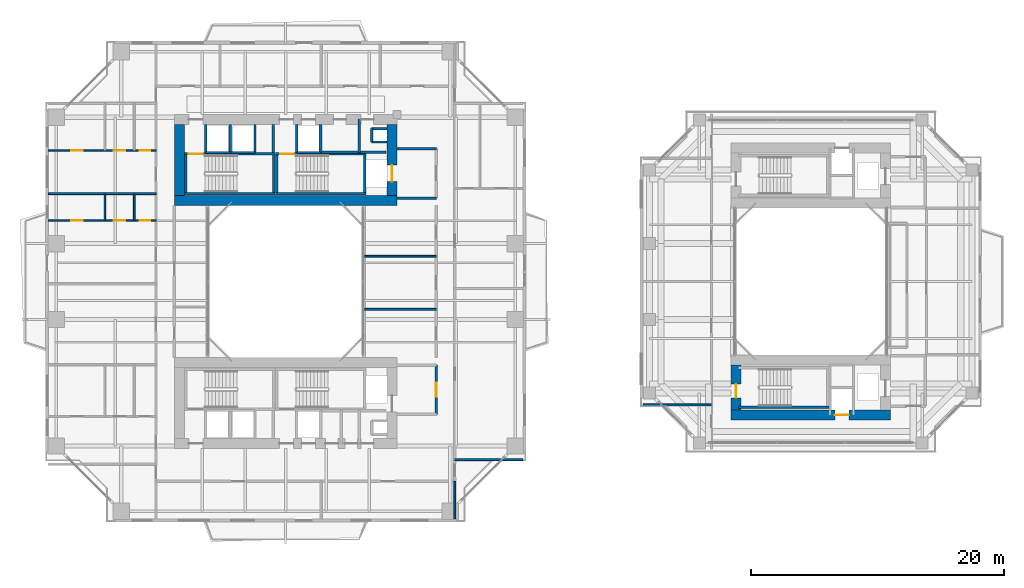
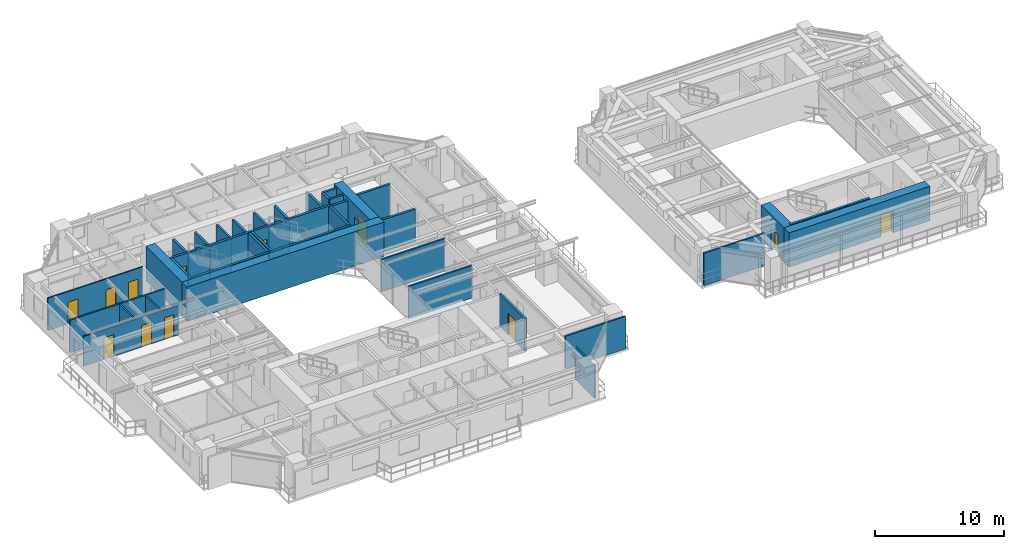
# One storey, part 15 of 23: 41 walls, 12 doors, 12 openings.
"""IFC4 building model written with IfcOpenShell, lengths in metres."""

from ifc_helpers import new_model, si_unit, direction, frame, frame_2d, origin, place, context, subcontext, project, spatial, rectangle, extrude, source, transform, mapped, material, layer, layer_set, type_object, element, fill, save


model = new_model("IFC4")

# Units and contexts
model_context = context("Model", 3, precision=1e-05, world=origin(), true_north=direction((0.0, 1.0)))
body_context = subcontext(model_context, "Body", "Model", "MODEL_VIEW")
ifc_project = project(units=[si_unit("LENGTHUNIT", "METRE"), si_unit("AREAUNIT", "SQUARE_METRE"), si_unit("VOLUMEUNIT", "CUBIC_METRE"), si_unit("PLANEANGLEUNIT", "RADIAN"), si_unit("MASSUNIT", "GRAM", prefix="KILO"), si_unit("THERMODYNAMICTEMPERATUREUNIT", "KELVIN"), si_unit("POWERUNIT", "WATT")], contexts=[model_context])

# Site, building, storey
site_placement = place(None, origin())
site = spatial("IfcSite", under=ifc_project, at=site_placement, CompositionType="ELEMENT")
building_placement = place(site_placement, origin())
building = spatial("IfcBuilding", under=site, at=building_placement, Name="Qiaomeng Ring Towers", CompositionType="ELEMENT")
storey_placement = place(building_placement, frame((0.0, 0.0, 66.5)))
storey = spatial("IfcBuildingStorey", under=building, at=storey_placement, Name="L18", CompositionType="ELEMENT", Elevation=66.5)

# Walls
ifc_material_1 = material(Name="Autoclaved aerated concrete block", Category="concrete")
ifc_layer_1 = layer(ifc_material_1, 0.199951171875, Name="Autoclaved aerated concrete block")
ifc_layer_set_1 = layer_set([ifc_layer_1], Name="Autoclaved aerated concrete block")
wall_type_1 = type_object("IfcWallType", Name="ARC-WL-PW1", PredefinedType="PARTITIONING", material=ifc_layer_set_1)
for number, where, z_axis, x_axis, name in (
    (1, (27.800048828125, 29.60009765625, 0.0), (0.0, 0.0, 1.0), (1.0, 0.0, 0.0), "L18 Interior Wall PW1"),
    (2, (27.800048828125, 33.5, 0.0), (0.0, 0.0, 1.0), (1.0, 0.0, 0.0), "L18 Interior Wall PW1"),
):
    element("IfcWall", number, at=place(storey_placement, frame(where, z_axis=z_axis, x_axis=x_axis)), inside=storey, type_object=wall_type_1, Name=name, PredefinedType="PARTITIONING", context=body_context, shape_type="SweptSolid", body=[
        extrude(rectangle(XDim=3.099853515625, YDim=0.199951171875, at=frame_2d((1.5498046875, 0.0))), origin(), (0.0, 0.0, 1.0), 3.070068359375),
    ])

# Wall, opening, door
wall_1_placement = place(storey_placement, frame((30.89990234375, 12.5, 0.0), z_axis=(0.0, 0.0, 1.0), x_axis=(0.0, 1.0, 0.0)))
wall_1 = element("IfcWall", 3, at=wall_1_placement, inside=storey, type_object=wall_type_1, Name="L18 Interior Wall PW1", PredefinedType="PARTITIONING", context=body_context, shape_type="SweptSolid", body=[
    extrude(rectangle(XDim=3.89990234375, YDim=0.199951171875, at=frame_2d((1.949951171875, 0.0))), origin(), (0.0, 0.0, 1.0), 3.070068359375),
])
opening_1_placement = place(wall_1_placement, frame((1.39990234375, 0.0, 0.0)))
opening_1 = element("IfcOpeningElement", 4, at=opening_1_placement, cuts=wall_1, Name="Opening FD3", PredefinedType="OPENING", context=body_context, shape_type="SweptSolid", body=[
    extrude(rectangle(XDim=1.10009765625, YDim=2.050048828125, at=frame_2d((0.550048828125, 1.02490234375))), frame((0.0, 0.10986328125, 0.0), z_axis=(0.0, -1.0, 0.0), x_axis=(1.0, 0.0, 0.0)), (0.0, 0.0, 1.0), 0.219970703125),
])
ifc_material_2 = material(Name="Galvanised steel", Category="steel")
door_type_1 = type_object("IfcDoorType", Name="ARC-DR-FD3", OperationType="NOTDEFINED", PredefinedType="DOOR", material=ifc_material_2)
shared_shape_1 = source(origin(), body_context, "Body", "SweptSolid", [
    extrude(rectangle(XDim=1.10009765625, YDim=2.050048828125, at=frame_2d((0.550048828125, 1.02490234375))), frame((0.0, 0.02490234375, 0.0), z_axis=(0.0, -1.0, 0.0), x_axis=(1.0, 0.0, 0.0)), (0.0, 0.0, 1.0), 0.050048828125),
])
door_1_placement = place(opening_1_placement, origin())
door_1 = element("IfcDoor", 5, at=door_1_placement, inside=storey, type_object=door_type_1, Name="L18 South FF Lobby Door", OperationType="SINGLE_SWING_RIGHT", OverallHeight=2.050048828125, OverallWidth=1.10009765625, PredefinedType="DOOR", context=body_context, shape_type="MappedRepresentation", body=[
    mapped(shared_shape_1, transform((0.0, 0.0, 0.0), x_axis=(1.0, 0.0, 0.0), y_axis=(0.0, 1.0, 0.0), z_axis=(0.0, 0.0, 1.0), scale=1.0)),
])
fill(opening_1, door_1)

# Walls
for number, where, z_axis, x_axis, name in (
    (6, (12.679931640625, 33.18994140625, 0.0), (0.0, 0.0, 1.0), (0.0, 1.0, 0.0), "L18 Interior Wall PW1"),
    (7, (18.0, 33.18994140625, 0.0), (0.0, 0.0, 1.0), (0.0, 1.0, 0.0), "L18 Interior Wall PW1"),
    (8, (19.8798828125, 33.18994140625, 0.0), (0.0, 0.0, 1.0), (0.0, 1.0, 0.0), "L18 Interior Wall PW1"),
):
    element("IfcWall", number, at=place(storey_placement, frame(where, z_axis=z_axis, x_axis=x_axis)), inside=storey, type_object=wall_type_1, Name=name, PredefinedType="PARTITIONING", context=body_context, shape_type="SweptSolid", body=[
        extrude(rectangle(XDim=2.2099609375, YDim=0.199951171875, at=frame_2d((1.10498046875, 0.0))), origin(), (0.0, 0.0, 1.0), 3.070068359375),
    ])
wall_2_placement = place(storey_placement, frame((24.820068359375, 33.199951171875, 0.0), z_axis=(0.0, 0.0, 1.0), x_axis=(0.0, 1.0, 0.0)))
element("IfcWall", 9, at=wall_2_placement, inside=storey, type_object=wall_type_1, Name="L18 Interior Wall PW1", PredefinedType="PARTITIONING", context=body_context, shape_type="SweptSolid", body=[
    extrude(rectangle(XDim=2.650146484375, YDim=0.199951171875, at=frame_2d((1.3251953125, 0.0))), origin(), (0.0, 0.0, 1.0), 3.070068359375),
])
wall_3_placement = place(storey_placement, frame((21.75, 33.199951171875, 0.0), z_axis=(0.0, 0.0, 1.0), x_axis=(0.0, 1.0, 0.0)))
element("IfcWall", 10, at=wall_3_placement, inside=storey, type_object=wall_type_1, Name="L18 Interior Wall PW1", PredefinedType="PARTITIONING", context=body_context, shape_type="SweptSolid", body=[
    extrude(rectangle(XDim=2.199951171875, YDim=0.199951171875, at=frame_2d((1.10009765625, 0.0))), origin(), (0.0, 0.0, 1.0), 3.070068359375),
])
wall_4_placement = place(storey_placement, frame((21.75, 33.199951171875, 0.0), z_axis=(0.0, 0.0, 1.0), x_axis=(1.0, 0.0, 0.0)))
element("IfcWall", 11, at=wall_4_placement, inside=storey, type_object=wall_type_1, Name="L18 Interior Wall PW1", PredefinedType="PARTITIONING", context=body_context, shape_type="SweptSolid", body=[
    extrude(rectangle(XDim=5.169921875, YDim=0.199951171875, at=frame_2d((2.5849609375, 0.0))), origin(), (0.0, 0.0, 1.0), 3.070068359375),
])
ifc_material_3 = material(Name="Gypsum fireboard steel-stud partition", Category="steel")
ifc_layer_2 = layer(ifc_material_3, 0.14990234375, Name="Gypsum fireboard steel-stud partition")
ifc_layer_set_2 = layer_set([ifc_layer_2], Name="Gypsum fireboard steel-stud partition")
wall_type_2 = type_object("IfcWallType", Name="ARC-WL-PW3", PredefinedType="PARTITIONING", material=ifc_layer_set_2)
wall_5_placement = place(storey_placement, frame((32.360107421875, 4.25, 0.0), z_axis=(0.0, 0.0, 1.0), x_axis=(0.0, 1.0, 0.0)))
element("IfcWall", 12, at=wall_5_placement, inside=storey, type_object=wall_type_2, Name="L18 Interior Wall PW3", PredefinedType="PARTITIONING", context=body_context, shape_type="SweptSolid", body=[
    extrude(rectangle(XDim=2.9599609375, YDim=0.14990234375, at=frame_2d((1.47998046875, 0.0))), origin(), (0.0, 0.0, 1.0), 3.070068359375),
])
wall_6_placement = place(storey_placement, frame((0.25, 29.949951171875, 0.0), z_axis=(0.0, 0.0, 1.0), x_axis=(1.0, 0.0, 0.0)))
element("IfcWall", 13, at=wall_6_placement, inside=storey, type_object=wall_type_2, Name="L18 Interior Wall PW3", PredefinedType="PARTITIONING", context=body_context, shape_type="SweptSolid", body=[
    extrude(rectangle(XDim=8.5, YDim=0.14990234375, at=frame_2d((4.25, 0.0))), origin(), (0.0, 0.0, 1.0), 3.070068359375),
])
wall_7_placement = place(storey_placement, frame((32.360107421875, 8.919921875, 0.0), z_axis=(0.0, 0.0, 1.0), x_axis=(1.0, 0.0, 0.0)))
element("IfcWall", 14, at=wall_7_placement, inside=storey, type_object=wall_type_2, Name="L18 Interior Wall PW3", PredefinedType="PARTITIONING", context=body_context, shape_type="SweptSolid", body=[
    extrude(rectangle(XDim=5.389892578125, YDim=0.14990234375, at=frame_2d((2.69482421875, 0.0))), origin(), (0.0, 0.0, 1.0), 3.070068359375),
])
for number, where, z_axis, x_axis, name in (
    (15, (25.219970703125, 20.800048828125, 0.0), (0.0, 0.0, 1.0), (1.0, 0.0, 0.0), "L18 Interior Wall PW3"),
    (16, (25.219970703125, 25.0, 0.0), (0.0, 0.0, 1.0), (1.0, 0.0, 0.0), "L18 Interior Wall PW3"),
):
    element("IfcWall", number, at=place(storey_placement, frame(where, z_axis=z_axis, x_axis=x_axis)), inside=storey, type_object=wall_type_2, Name=name, PredefinedType="PARTITIONING", context=body_context, shape_type="SweptSolid", body=[
        extrude(rectangle(XDim=5.679931640625, YDim=0.14990234375, at=frame_2d((2.83984375, 0.0))), origin(), (0.0, 0.0, 1.0), 3.070068359375),
    ])
wall_8_placement = place(storey_placement, frame((47.25, 13.25, 0.0), z_axis=(0.0, 0.0, 1.0), x_axis=(1.0, 0.0, 0.0)))
element("IfcWall", 17, at=wall_8_placement, inside=storey, type_object=wall_type_2, Name="L18 Interior Wall PW3", PredefinedType="PARTITIONING", context=body_context, shape_type="SweptSolid", body=[
    extrude(rectangle(XDim=5.39990234375, YDim=0.14990234375, at=frame_2d((2.699951171875, 0.0))), origin(), (0.0, 0.0, 1.0), 3.070068359375),
])

# Wall, openings, doors
ifc_material_4 = material(Name="Moisture-resistant gypsum steel-stud partition", Category="steel")
ifc_layer_3 = layer(ifc_material_4, 0.1201171875, Name="Moisture-resistant gypsum steel-stud partition")
ifc_layer_set_3 = layer_set([ifc_layer_3], Name="Moisture-resistant gypsum steel-stud partition")
wall_type_3 = type_object("IfcWallType", Name="ARC-WL-PW4", PredefinedType="PLUMBINGWALL", material=ifc_layer_set_3)
wall_9_placement = place(storey_placement, frame((0.25, 27.830078125, 0.0), z_axis=(0.0, 0.0, 1.0), x_axis=(1.0, 0.0, 0.0)))
wall_9 = element("IfcWall", 18, at=wall_9_placement, inside=storey, type_object=wall_type_3, Name="L18 Interior Wall PW4", PredefinedType="PLUMBINGWALL", context=body_context, shape_type="SweptSolid", body=[
    extrude(rectangle(XDim=8.5, YDim=0.1201171875, at=frame_2d((4.25, 0.0))), origin(), (0.0, 0.0, 1.0), 2.81494140625),
])
opening_2_placement = place(wall_9_placement, frame((1.7900390625, 0.0, 0.0)))
opening_2 = element("IfcOpeningElement", 19, at=opening_2_placement, cuts=wall_9, Name="Opening ID1", PredefinedType="OPENING", context=body_context, shape_type="SweptSolid", body=[
    extrude(rectangle(XDim=0.89990234375, YDim=2.050048828125, at=frame_2d((0.449951171875, 1.02490234375))), frame((0.0, 0.070068359375, 0.0), z_axis=(0.0, -1.0, 0.0), x_axis=(1.0, 0.0, 0.0)), (0.0, 0.0, 1.0), 0.14013671875),
])
opening_3_placement = place(wall_9_placement, frame((5.169921875, 0.0, 0.0)))
opening_3 = element("IfcOpeningElement", 20, at=opening_3_placement, cuts=wall_9, Name="Opening ID1", PredefinedType="OPENING", context=body_context, shape_type="SweptSolid", body=[
    extrude(rectangle(XDim=0.89990234375, YDim=2.050048828125, at=frame_2d((0.449951171875, 1.02490234375))), frame((0.0, 0.070068359375, 0.0), z_axis=(0.0, -1.0, 0.0), x_axis=(1.0, 0.0, 0.0)), (0.0, 0.0, 1.0), 0.14013671875),
])
opening_4_placement = place(wall_9_placement, frame((7.205078125, 0.0, 0.0)))
opening_4 = element("IfcOpeningElement", 21, at=opening_4_placement, cuts=wall_9, Name="Opening ID2", PredefinedType="OPENING", context=body_context, shape_type="SweptSolid", body=[
    extrude(rectangle(XDim=0.85009765625, YDim=2.050048828125, at=frame_2d((0.425048828125, 1.02490234375))), frame((0.0, 0.070068359375, 0.0), z_axis=(0.0, -1.0, 0.0), x_axis=(1.0, 0.0, 0.0)), (0.0, 0.0, 1.0), 0.14013671875),
])
ifc_material_5 = material(Name="Moisture-resistant engineered timber", Category="wood")
door_type_2 = type_object("IfcDoorType", Name="ARC-DR-ID2", OperationType="NOTDEFINED", PredefinedType="DOOR", material=ifc_material_5)
shared_shape_2 = source(origin(), body_context, "Body", "SweptSolid", [
    extrude(rectangle(XDim=0.85009765625, YDim=2.050048828125, at=frame_2d((0.425048828125, 1.02490234375))), frame((0.0, 0.02490234375, 0.0), z_axis=(0.0, -1.0, 0.0), x_axis=(1.0, 0.0, 0.0)), (0.0, 0.0, 1.0), 0.050048828125),
])
door_2_placement = place(opening_4_placement, origin())
door_2 = element("IfcDoor", 22, at=door_2_placement, inside=storey, type_object=door_type_2, Name="L18 Door ID2", OperationType="SINGLE_SWING_LEFT", OverallHeight=2.050048828125, OverallWidth=0.85009765625, PredefinedType="DOOR", context=body_context, shape_type="MappedRepresentation", body=[
    mapped(shared_shape_2, transform((0.0, 0.0, 0.0), x_axis=(1.0, 0.0, 0.0), y_axis=(0.0, 1.0, 0.0), z_axis=(0.0, 0.0, 1.0), scale=1.0)),
])
fill(opening_4, door_2)
ifc_material_6 = material(Name="Engineered oak timber", Category="wood")
door_type_3 = type_object("IfcDoorType", Name="ARC-DR-ID1", OperationType="NOTDEFINED", PredefinedType="DOOR", material=ifc_material_6)
shared_shape_3 = source(origin(), body_context, "Body", "SweptSolid", [
    extrude(rectangle(XDim=0.89990234375, YDim=2.050048828125, at=frame_2d((0.449951171875, 1.02490234375))), frame((0.0, 0.02490234375, 0.0), z_axis=(0.0, -1.0, 0.0), x_axis=(1.0, 0.0, 0.0)), (0.0, 0.0, 1.0), 0.050048828125),
])
door_3_placement = place(opening_2_placement, origin())
door_3 = element("IfcDoor", 23, at=door_3_placement, inside=storey, type_object=door_type_3, Name="L18 Door ID1", OperationType="SINGLE_SWING_LEFT", OverallHeight=2.050048828125, OverallWidth=0.89990234375, PredefinedType="DOOR", context=body_context, shape_type="MappedRepresentation", body=[
    mapped(shared_shape_3, transform((0.0, 0.0, 0.0), x_axis=(1.0, 0.0, 0.0), y_axis=(0.0, 1.0, 0.0), z_axis=(0.0, 0.0, 1.0), scale=1.0)),
])
fill(opening_2, door_3)
door_4_placement = place(opening_3_placement, origin())
door_4 = element("IfcDoor", 24, at=door_4_placement, inside=storey, type_object=door_type_3, Name="L18 Door ID1", OperationType="SINGLE_SWING_RIGHT", OverallHeight=2.050048828125, OverallWidth=0.89990234375, PredefinedType="DOOR", context=body_context, shape_type="MappedRepresentation", body=[
    mapped(shared_shape_3, transform((0.0, 0.0, 0.0), x_axis=(1.0, 0.0, 0.0), y_axis=(0.0, 1.0, 0.0), z_axis=(0.0, 0.0, 1.0), scale=1.0)),
])
fill(opening_3, door_4)

# Walls
for number, where, z_axis, x_axis, name in (
    (25, (4.7099609375, 27.830078125, 0.0), (0.0, 0.0, 1.0), (0.0, 1.0, 0.0), "L18 Interior Wall PW4"),
    (26, (7.030029296875, 27.830078125, 0.0), (0.0, 0.0, 1.0), (0.0, 1.0, 0.0), "L18 Interior Wall PW4"),
):
    element("IfcWall", number, at=place(storey_placement, frame(where, z_axis=z_axis, x_axis=x_axis)), inside=storey, type_object=wall_type_3, Name=name, PredefinedType="PLUMBINGWALL", context=body_context, shape_type="SweptSolid", body=[
        extrude(rectangle(XDim=2.119873046875, YDim=0.1201171875, at=frame_2d((1.06005859375, 0.0))), origin(), (0.0, 0.0, 1.0), 3.070068359375),
    ])

# Wall, openings, doors
wall_10_placement = place(storey_placement, frame((0.25, 33.3701171875, 0.0), z_axis=(0.0, 0.0, 1.0), x_axis=(1.0, 0.0, 0.0)))
wall_10 = element("IfcWall", 27, at=wall_10_placement, inside=storey, type_object=wall_type_3, Name="L18 Interior Wall PW4", PredefinedType="PLUMBINGWALL", context=body_context, shape_type="SweptSolid", body=[
    extrude(rectangle(XDim=8.5, YDim=0.1201171875, at=frame_2d((4.25, 0.0))), origin(), (0.0, 0.0, 1.0), 3.070068359375),
])
opening_5_placement = place(wall_10_placement, frame((1.7900390625, 0.0, 0.0)))
opening_5 = element("IfcOpeningElement", 28, at=opening_5_placement, cuts=wall_10, Name="Opening ID1", PredefinedType="OPENING", context=body_context, shape_type="SweptSolid", body=[
    extrude(rectangle(XDim=0.89990234375, YDim=2.050048828125, at=frame_2d((0.449951171875, 1.02490234375))), frame((0.0, 0.070068359375, 0.0), z_axis=(0.0, -1.0, 0.0), x_axis=(1.0, 0.0, 0.0)), (0.0, 0.0, 1.0), 0.14013671875),
])
opening_6_placement = place(wall_10_placement, frame((5.169921875, 0.0, 0.0)))
opening_6 = element("IfcOpeningElement", 29, at=opening_6_placement, cuts=wall_10, Name="Opening ID1", PredefinedType="OPENING", context=body_context, shape_type="SweptSolid", body=[
    extrude(rectangle(XDim=0.89990234375, YDim=2.050048828125, at=frame_2d((0.449951171875, 1.02490234375))), frame((0.0, 0.070068359375, 0.0), z_axis=(0.0, -1.0, 0.0), x_axis=(1.0, 0.0, 0.0)), (0.0, 0.0, 1.0), 0.14013671875),
])
opening_7_placement = place(wall_10_placement, frame((7.205078125, 0.0, 0.0)))
opening_7 = element("IfcOpeningElement", 30, at=opening_7_placement, cuts=wall_10, Name="Opening ID2", PredefinedType="OPENING", context=body_context, shape_type="SweptSolid", body=[
    extrude(rectangle(XDim=0.85009765625, YDim=2.050048828125, at=frame_2d((0.425048828125, 1.02490234375))), frame((0.0, 0.070068359375, 0.0), z_axis=(0.0, -1.0, 0.0), x_axis=(1.0, 0.0, 0.0)), (0.0, 0.0, 1.0), 0.14013671875),
])
door_5_placement = place(opening_7_placement, origin())
door_5 = element("IfcDoor", 31, at=door_5_placement, inside=storey, type_object=door_type_2, Name="L18 Door ID2", OperationType="SINGLE_SWING_LEFT", OverallHeight=2.050048828125, OverallWidth=0.85009765625, PredefinedType="DOOR", context=body_context, shape_type="MappedRepresentation", body=[
    mapped(shared_shape_2, transform((0.0, 0.0, 0.0), x_axis=(1.0, 0.0, 0.0), y_axis=(0.0, 1.0, 0.0), z_axis=(0.0, 0.0, 1.0), scale=1.0)),
])
fill(opening_7, door_5)
door_6_placement = place(opening_5_placement, origin())
door_6 = element("IfcDoor", 32, at=door_6_placement, inside=storey, type_object=door_type_3, Name="L18 Door ID1", OperationType="SINGLE_SWING_LEFT", OverallHeight=2.050048828125, OverallWidth=0.89990234375, PredefinedType="DOOR", context=body_context, shape_type="MappedRepresentation", body=[
    mapped(shared_shape_3, transform((0.0, 0.0, 0.0), x_axis=(1.0, 0.0, 0.0), y_axis=(0.0, 1.0, 0.0), z_axis=(0.0, 0.0, 1.0), scale=1.0)),
])
fill(opening_5, door_6)
door_7_placement = place(opening_6_placement, origin())
door_7 = element("IfcDoor", 33, at=door_7_placement, inside=storey, type_object=door_type_3, Name="L18 Door ID1", OperationType="SINGLE_SWING_RIGHT", OverallHeight=2.050048828125, OverallWidth=0.89990234375, PredefinedType="DOOR", context=body_context, shape_type="MappedRepresentation", body=[
    mapped(shared_shape_3, transform((0.0, 0.0, 0.0), x_axis=(1.0, 0.0, 0.0), y_axis=(0.0, 1.0, 0.0), z_axis=(0.0, 0.0, 1.0), scale=1.0)),
])
fill(opening_6, door_7)

# Walls
ifc_material_7 = material(Name="Concrete C40", Category="concrete")
ifc_layer_4 = layer(ifc_material_7, 0.199951171875, Name="Concrete C40")
ifc_layer_set_4 = layer_set([ifc_layer_4], Name="Concrete C40")
wall_type_4 = type_object("IfcWallType", Name="STR-WL-STSHAFT", PredefinedType="SHEAR", material=ifc_layer_set_4)
wall_11_placement = place(storey_placement, frame((12.679931640625, 33.199951171875, 0.0), z_axis=(0.0, 0.0, 1.0), x_axis=(1.0, 0.0, 0.0)))
element("IfcWall", 34, at=wall_11_placement, inside=storey, type_object=wall_type_4, Name="L18 Lift LP5 Shaft Back Wall", PredefinedType="SHEAR", context=body_context, shape_type="SweptSolid", body=[
    extrude(rectangle(XDim=1.940185546875, YDim=0.179931640625, at=frame_2d((0.97021484375, 0.0))), origin(), (0.0, 0.0, 1.0), 3.070068359375),
])
wall_12_placement = place(storey_placement, frame((14.6201171875, 33.199951171875, 0.0), z_axis=(0.0, 0.0, 1.0), x_axis=(0.0, 1.0, 0.0)))
element("IfcWall", 35, at=wall_12_placement, inside=storey, type_object=wall_type_4, Name="L18 Lift LP5-LP3 Shaft Divider Wall", PredefinedType="SHEAR", context=body_context, shape_type="SweptSolid", body=[
    extrude(rectangle(XDim=2.199951171875, YDim=0.179931640625, at=frame_2d((1.10009765625, 0.0))), origin(), (0.0, 0.0, 1.0), 3.070068359375),
])
wall_13_placement = place(storey_placement, frame((25.800048828125, 34.02001953125, 0.0), z_axis=(0.0, 0.0, 1.0), x_axis=(0.0, 1.0, 0.0)))
element("IfcWall", 36, at=wall_13_placement, inside=storey, type_object=wall_type_4, Name="L18 Riser RSR1 West Shaft Wall N", PredefinedType="SHEAR", context=body_context, shape_type="SweptSolid", body=[
    extrude(rectangle(XDim=1.06005859375, YDim=0.179931640625, at=frame_2d((0.530029296875, 0.0))), origin(), (0.0, 0.0, 1.0), 3.070068359375),
])
for number, where, z_axis, x_axis, name in (
    (37, (25.800048828125, 35.080078125, 0.0), (0.0, 0.0, 1.0), (1.0, 0.0, 0.0), "L18 Riser RSR1 North Shaft Wall N"),
    (38, (25.800048828125, 34.02001953125, 0.0), (0.0, 0.0, 1.0), (1.0, 0.0, 0.0), "L18 Riser RSR1 South Shaft Wall N"),
):
    element("IfcWall", number, at=place(storey_placement, frame(where, z_axis=z_axis, x_axis=x_axis)), inside=storey, type_object=wall_type_4, Name=name, PredefinedType="SHEAR", context=body_context, shape_type="SweptSolid", body=[
        extrude(rectangle(XDim=1.199951171875, YDim=0.179931640625, at=frame_2d((0.60009765625, 0.0))), origin(), (0.0, 0.0, 1.0), 3.070068359375),
    ])
wall_14_placement = place(storey_placement, frame((14.6201171875, 33.199951171875, 0.0), z_axis=(0.0, 0.0, 1.0), x_axis=(1.0, 0.0, 0.0)))
element("IfcWall", 39, at=wall_14_placement, inside=storey, type_object=wall_type_4, Name="L18 Lift LP3 Shaft Back Wall", PredefinedType="SHEAR", context=body_context, shape_type="SweptSolid", body=[
    extrude(rectangle(XDim=1.9599609375, YDim=0.179931640625, at=frame_2d((0.97998046875, 0.0))), origin(), (0.0, 0.0, 1.0), 3.070068359375),
])
wall_15_placement = place(storey_placement, frame((16.580078125, 33.199951171875, 0.0), z_axis=(0.0, 0.0, 1.0), x_axis=(0.0, 1.0, 0.0)))
element("IfcWall", 40, at=wall_15_placement, inside=storey, type_object=wall_type_4, Name="L18 Lift LP3 East Shaft Wall", PredefinedType="SHEAR", context=body_context, shape_type="SweptSolid", body=[
    extrude(rectangle(XDim=2.199951171875, YDim=0.179931640625, at=frame_2d((1.10009765625, 0.0))), origin(), (0.0, 0.0, 1.0), 3.070068359375),
])
wall_16_placement = place(storey_placement, frame((19.8798828125, 33.199951171875, 0.0), z_axis=(0.0, 0.0, 1.0), x_axis=(1.0, 0.0, 0.0)))
element("IfcWall", 41, at=wall_16_placement, inside=storey, type_object=wall_type_4, Name="L18 Lift LP1 Shaft Back Wall", PredefinedType="SHEAR", context=body_context, shape_type="SweptSolid", body=[
    extrude(rectangle(XDim=1.8701171875, YDim=0.179931640625, at=frame_2d((0.93505859375, 0.0))), origin(), (0.0, 0.0, 1.0), 3.070068359375),
])
wall_17_placement = place(storey_placement, frame((11.0, 29.949951171875, 0.0), z_axis=(0.0, 0.0, 1.0), x_axis=(1.0, 0.0, 0.0)))
element("IfcWall", 42, at=wall_17_placement, inside=storey, type_object=wall_type_4, Name="L18 Stair ST1 South Shaft Shear Wall", PredefinedType="SHEAR", context=body_context, shape_type="SweptSolid", body=[
    extrude(rectangle(XDim=7.14990234375, YDim=0.199951171875, at=frame_2d((3.574951171875, 0.0))), origin(), (0.0, 0.0, 1.0), 3.25),
])

# Wall, opening, door
wall_18_placement = place(storey_placement, frame((11.0, 33.090087890625, 0.0), z_axis=(0.0, 0.0, 1.0), x_axis=(1.0, 0.0, 0.0)))
wall_18 = element("IfcWall", 43, at=wall_18_placement, inside=storey, type_object=wall_type_4, Name="L18 Stair ST1 North Shaft Shear Wall", PredefinedType="SHEAR", context=body_context, shape_type="SweptSolid", body=[
    extrude(rectangle(XDim=7.14990234375, YDim=0.199951171875, at=frame_2d((3.574951171875, 0.0))), origin(), (0.0, 0.0, 1.0), 3.25),
])
opening_8_placement = place(wall_18_placement, frame((0.35009765625, 0.0, 0.0)))
opening_8 = element("IfcOpeningElement", 44, at=opening_8_placement, cuts=wall_18, Name="Opening FD3", PredefinedType="OPENING", context=body_context, shape_type="SweptSolid", body=[
    extrude(rectangle(XDim=1.10009765625, YDim=2.050048828125, at=frame_2d((0.550048828125, 1.02490234375))), frame((0.0, 0.10986328125, 0.0), z_axis=(0.0, -1.0, 0.0), x_axis=(1.0, 0.0, 0.0)), (0.0, 0.0, 1.0), 0.219970703125),
])
door_8_placement = place(opening_8_placement, origin())
door_8 = element("IfcDoor", 45, at=door_8_placement, inside=storey, type_object=door_type_1, Name="L18 Stair ST1 Exit Door", OperationType="SINGLE_SWING_RIGHT", OverallHeight=2.050048828125, OverallWidth=1.10009765625, PredefinedType="DOOR", context=body_context, shape_type="MappedRepresentation", body=[
    mapped(shared_shape_1, transform((0.0, 0.0, 0.0), x_axis=(1.0, 0.0, 0.0), y_axis=(0.0, 1.0, 0.0), z_axis=(0.0, 0.0, 1.0), scale=1.0)),
])
fill(opening_8, door_8)

# Walls
for number, where, z_axis, x_axis, name in (
    (46, (11.10009765625, 30.050048828125, 0.0), (0.0, 0.0, 1.0), (0.0, 1.0, 0.0), "L18 Stair ST1 West Shaft Shear Wall"),
    (47, (18.050048828125, 30.050048828125, 0.0), (0.0, 0.0, 1.0), (0.0, 1.0, 0.0), "L18 Stair ST1 East Shaft Shear Wall"),
):
    element("IfcWall", number, at=place(storey_placement, frame(where, z_axis=z_axis, x_axis=x_axis)), inside=storey, type_object=wall_type_4, Name=name, PredefinedType="SHEAR", context=body_context, shape_type="SweptSolid", body=[
        extrude(rectangle(XDim=2.93994140625, YDim=0.199951171875, at=frame_2d((1.469970703125, 0.0))), origin(), (0.0, 0.0, 1.0), 3.25),
    ])
wall_19_placement = place(storey_placement, frame((18.199951171875, 29.949951171875, 0.0), z_axis=(0.0, 0.0, 1.0), x_axis=(1.0, 0.0, 0.0)))
element("IfcWall", 48, at=wall_19_placement, inside=storey, type_object=wall_type_4, Name="L18 Stair ST2 South Shaft Shear Wall", PredefinedType="SHEAR", context=body_context, shape_type="SweptSolid", body=[
    extrude(rectangle(XDim=7.150146484375, YDim=0.199951171875, at=frame_2d((3.5751953125, 0.0))), origin(), (0.0, 0.0, 1.0), 3.25),
])

# Wall, opening, door
wall_20_placement = place(storey_placement, frame((18.199951171875, 33.090087890625, 0.0), z_axis=(0.0, 0.0, 1.0), x_axis=(1.0, 0.0, 0.0)))
wall_20 = element("IfcWall", 49, at=wall_20_placement, inside=storey, type_object=wall_type_4, Name="L18 Stair ST2 North Shaft Shear Wall", PredefinedType="SHEAR", context=body_context, shape_type="SweptSolid", body=[
    extrude(rectangle(XDim=7.150146484375, YDim=0.199951171875, at=frame_2d((3.5751953125, 0.0))), origin(), (0.0, 0.0, 1.0), 3.25),
])
opening_9_placement = place(wall_20_placement, frame((0.35009765625, 0.0, 0.0)))
opening_9 = element("IfcOpeningElement", 50, at=opening_9_placement, cuts=wall_20, Name="Opening FD3", PredefinedType="OPENING", context=body_context, shape_type="SweptSolid", body=[
    extrude(rectangle(XDim=1.10009765625, YDim=2.050048828125, at=frame_2d((0.550048828125, 1.02490234375))), frame((0.0, 0.10986328125, 0.0), z_axis=(0.0, -1.0, 0.0), x_axis=(1.0, 0.0, 0.0)), (0.0, 0.0, 1.0), 0.219970703125),
])
door_9_placement = place(opening_9_placement, origin())
door_9 = element("IfcDoor", 51, at=door_9_placement, inside=storey, type_object=door_type_1, Name="L18 Stair ST2 Exit Door", OperationType="SINGLE_SWING_RIGHT", OverallHeight=2.050048828125, OverallWidth=1.10009765625, PredefinedType="DOOR", context=body_context, shape_type="MappedRepresentation", body=[
    mapped(shared_shape_1, transform((0.0, 0.0, 0.0), x_axis=(1.0, 0.0, 0.0), y_axis=(0.0, 1.0, 0.0), z_axis=(0.0, 0.0, 1.0), scale=1.0)),
])
fill(opening_9, door_9)

# Walls
for number, where, z_axis, x_axis, name in (
    (52, (18.300048828125, 30.050048828125, 0.0), (0.0, 0.0, 1.0), (0.0, 1.0, 0.0), "L18 Stair ST2 West Shaft Shear Wall"),
    (53, (25.25, 30.050048828125, 0.0), (0.0, 0.0, 1.0), (0.0, 1.0, 0.0), "L18 Stair ST2 East Shaft Shear Wall"),
):
    element("IfcWall", number, at=place(storey_placement, frame(where, z_axis=z_axis, x_axis=x_axis)), inside=storey, type_object=wall_type_4, Name=name, PredefinedType="SHEAR", context=body_context, shape_type="SweptSolid", body=[
        extrude(rectangle(XDim=2.93994140625, YDim=0.199951171875, at=frame_2d((1.469970703125, 0.0))), origin(), (0.0, 0.0, 1.0), 3.25),
    ])
wall_21_placement = place(storey_placement, frame((54.800048828125, 13.06005859375, 0.0), z_axis=(0.0, 0.0, 1.0), x_axis=(1.0, 0.0, 0.0)))
element("IfcWall", 54, at=wall_21_placement, inside=storey, type_object=wall_type_4, Name="L18 Stair ST6 South Shaft Shear Wall", PredefinedType="SHEAR", context=body_context, shape_type="SweptSolid", body=[
    extrude(rectangle(XDim=7.14990234375, YDim=0.199951171875, at=frame_2d((3.574951171875, 0.0))), origin(), (0.0, 0.0, 1.0), 3.25),
])
ifc_material_8 = material(Name="Concrete C60", Category="concrete")
ifc_layer_5 = layer(ifc_material_8, 0.800048828125, Name="Concrete C60")
ifc_layer_set_5 = layer_set([ifc_layer_5], Name="Concrete C60")
wall_type_5 = type_object("IfcWallType", Name="STR-WL-SW1", PredefinedType="SHEAR", material=ifc_layer_set_5)
wall_22_placement = place(storey_placement, frame((10.199951171875, 29.39990234375, 0.0), z_axis=(0.0, 0.0, 1.0), x_axis=(1.0, 0.0, 0.0)))
element("IfcWall", 55, at=wall_22_placement, inside=storey, type_object=wall_type_5, Name="L18 T1NC south core shear wall", PredefinedType="SHEAR", context=body_context, shape_type="SweptSolid", body=[
    extrude(rectangle(XDim=17.60009765625, YDim=0.800048828125, at=frame_2d((8.800048828125, 0.0))), origin(), (0.0, 0.0, 1.0), 3.25),
])
wall_23_placement = place(storey_placement, frame((10.60009765625, 29.800048828125, 0.0), z_axis=(0.0, 0.0, 1.0), x_axis=(0.0, 1.0, 0.0)))
element("IfcWall", 56, at=wall_23_placement, inside=storey, type_object=wall_type_5, Name="L18 T1NC west core shear wall", PredefinedType="SHEAR", context=body_context, shape_type="SweptSolid", body=[
    extrude(rectangle(XDim=5.599853515625, YDim=0.800048828125, at=frame_2d((2.7998046875, 0.0))), origin(), (0.0, 0.0, 1.0), 3.25),
])

# Wall, opening, door
wall_24_placement = place(storey_placement, frame((27.39990234375, 29.800048828125, 0.0), z_axis=(0.0, 0.0, 1.0), x_axis=(0.0, 1.0, 0.0)))
wall_24 = element("IfcWall", 57, at=wall_24_placement, inside=storey, type_object=wall_type_5, Name="L18 T1NC east core shear wall", PredefinedType="SHEAR", context=body_context, shape_type="SweptSolid", body=[
    extrude(rectangle(XDim=5.599853515625, YDim=0.800048828125, at=frame_2d((2.7998046875, 0.0))), origin(), (0.0, 0.0, 1.0), 3.25),
])
opening_10_placement = place(wall_24_placement, frame((1.10009765625, 0.0, 0.0)))
opening_10 = element("IfcOpeningElement", 58, at=opening_10_placement, cuts=wall_24, Name="Opening LD2", PredefinedType="OPENING", context=body_context, shape_type="SweptSolid", body=[
    extrude(rectangle(XDim=1.300048828125, YDim=2.050048828125, at=frame_2d((0.64990234375, 1.02490234375))), frame((0.0, 0.409912109375, 0.0), z_axis=(0.0, -1.0, 0.0), x_axis=(1.0, 0.0, 0.0)), (0.0, 0.0, 1.0), 0.820068359375),
])
ifc_material_9 = material(Name="Stainless steel 316", Category="steel")
door_type_4 = type_object("IfcDoorType", Name="ARC-DR-LD2", OperationType="NOTDEFINED", PredefinedType="DOOR", material=ifc_material_9)
shared_shape_4 = source(origin(), body_context, "Body", "SweptSolid", [
    extrude(rectangle(XDim=1.300048828125, YDim=2.050048828125, at=frame_2d((0.64990234375, 1.02490234375))), frame((0.0, 0.02490234375, 0.0), z_axis=(0.0, -1.0, 0.0), x_axis=(1.0, 0.0, 0.0)), (0.0, 0.0, 1.0), 0.050048828125),
])
door_10_placement = place(opening_10_placement, origin())
door_10 = element("IfcDoor", 59, at=door_10_placement, inside=storey, type_object=door_type_4, Name="L18 Firefighting Lift FL1 Landing Door", OperationType="SLIDING_TO_LEFT", OverallHeight=2.050048828125, OverallWidth=1.300048828125, PredefinedType="DOOR", context=body_context, shape_type="MappedRepresentation", body=[
    mapped(shared_shape_4, transform((0.0, 0.0, 0.0), x_axis=(1.0, 0.0, 0.0), y_axis=(0.0, 1.0, 0.0), z_axis=(0.0, 0.0, 1.0), scale=1.0)),
])
fill(opening_10, door_10)

wall_25_placement = place(storey_placement, frame((54.199951171875, 12.449951171875, 0.0), z_axis=(0.0, 0.0, 1.0), x_axis=(1.0, 0.0, 0.0)))
wall_25 = element("IfcWall", 60, at=wall_25_placement, inside=storey, type_object=wall_type_5, Name="L18 T2SC south core shear wall", PredefinedType="SHEAR", context=body_context, shape_type="SweptSolid", body=[
    extrude(rectangle(XDim=12.60009765625, YDim=0.800048828125, at=frame_2d((6.300048828125, 0.0))), origin(), (0.0, 0.0, 1.0), 3.25),
])
opening_11_placement = place(wall_25_placement, frame((8.199951171875, 0.0, 0.0)))
opening_11 = element("IfcOpeningElement", 61, at=opening_11_placement, cuts=wall_25, Name="Opening LD1", PredefinedType="OPENING", context=body_context, shape_type="SweptSolid", body=[
    extrude(rectangle(XDim=1.10009765625, YDim=2.050048828125, at=frame_2d((0.550048828125, 1.02490234375))), frame((0.0, 0.409912109375, 0.0), z_axis=(0.0, -1.0, 0.0), x_axis=(1.0, 0.0, 0.0)), (0.0, 0.0, 1.0), 0.820068359375),
])
door_type_5 = type_object("IfcDoorType", Name="ARC-DR-LD1", OperationType="NOTDEFINED", PredefinedType="DOOR", material=ifc_material_9)
door_11_placement = place(opening_11_placement, origin())
door_11 = element("IfcDoor", 62, at=door_11_placement, inside=storey, type_object=door_type_5, Name="L18 Companion Lift LP8 Landing Door", OperationType="SLIDING_TO_RIGHT", OverallHeight=2.050048828125, OverallWidth=1.10009765625, PredefinedType="DOOR", context=body_context, shape_type="MappedRepresentation", body=[
    mapped(shared_shape_1, transform((0.0, 0.0, 0.0), x_axis=(1.0, 0.0, 0.0), y_axis=(0.0, 1.0, 0.0), z_axis=(0.0, 0.0, 1.0), scale=1.0)),
])
fill(opening_11, door_11)

wall_26_placement = place(storey_placement, frame((54.60009765625, 12.85009765625, 0.0), z_axis=(0.0, 0.0, 1.0), x_axis=(0.0, 1.0, 0.0)))
wall_26 = element("IfcWall", 63, at=wall_26_placement, inside=storey, type_object=wall_type_5, Name="L18 T2SC west core shear wall", PredefinedType="SHEAR", context=body_context, shape_type="SweptSolid", body=[
    extrude(rectangle(XDim=3.5498046875, YDim=0.800048828125, at=frame_2d((1.77490234375, 0.0))), origin(), (0.0, 0.0, 1.0), 3.25),
])
opening_12_placement = place(wall_26_placement, frame((0.949951171875, 0.0, 0.0)))
opening_12 = element("IfcOpeningElement", 64, at=opening_12_placement, cuts=wall_26, Name="Opening FD3", PredefinedType="OPENING", context=body_context, shape_type="SweptSolid", body=[
    extrude(rectangle(XDim=1.10009765625, YDim=2.050048828125, at=frame_2d((0.550048828125, 1.02490234375))), frame((0.0, 0.409912109375, 0.0), z_axis=(0.0, -1.0, 0.0), x_axis=(1.0, 0.0, 0.0)), (0.0, 0.0, 1.0), 0.820068359375),
])
door_12_placement = place(opening_12_placement, origin())
door_12 = element("IfcDoor", 65, at=door_12_placement, inside=storey, type_object=door_type_1, Name="L18 Stair ST6 Exit Door", OperationType="SINGLE_SWING_LEFT", OverallHeight=2.050048828125, OverallWidth=1.10009765625, PredefinedType="DOOR", context=body_context, shape_type="MappedRepresentation", body=[
    mapped(shared_shape_1, transform((0.0, 0.0, 0.0), x_axis=(1.0, 0.0, 0.0), y_axis=(0.0, 1.0, 0.0), z_axis=(0.0, 0.0, 1.0), scale=1.0)),
])
fill(opening_12, door_12)

save(model, "model.ifc")
